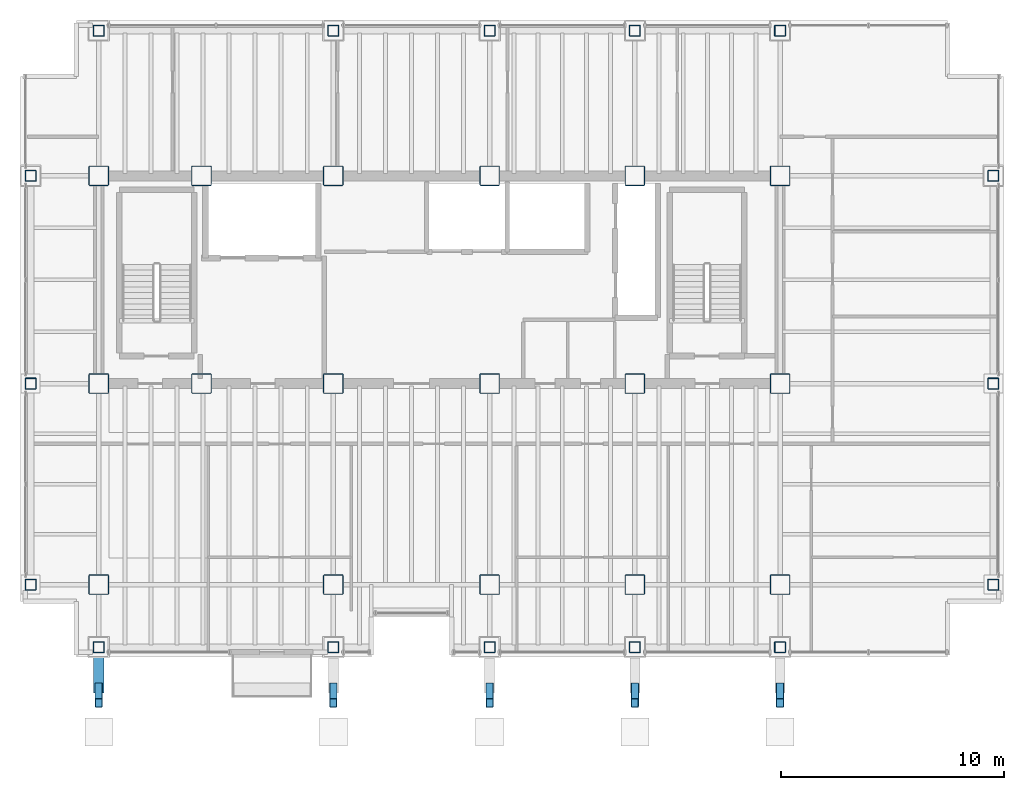
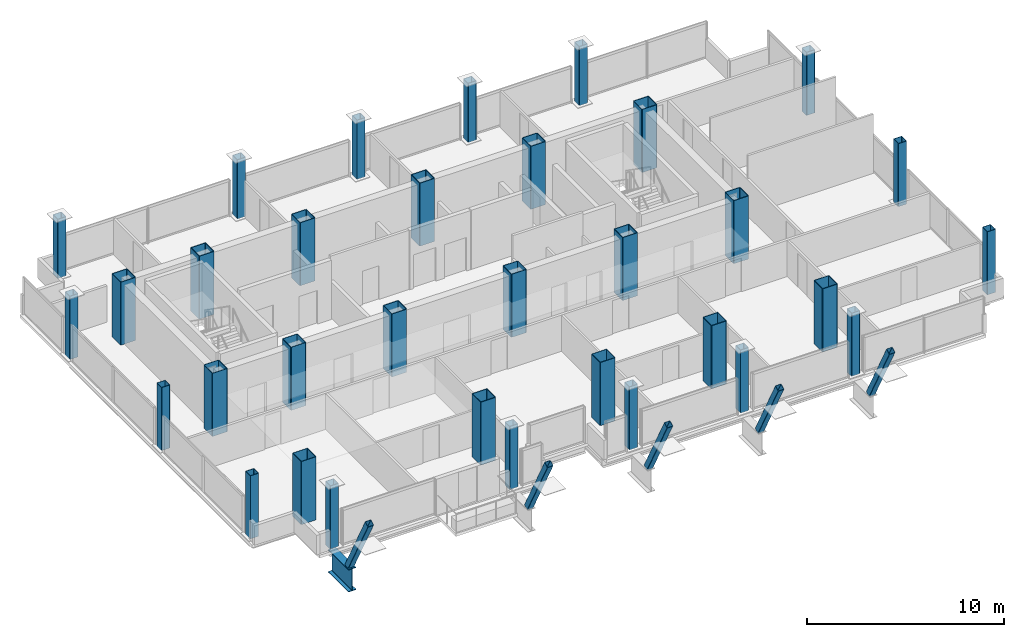
# One storey, part 1 of 16: 38 columns, 1 beam.
"""IFC4 building model written with IfcOpenShell, lengths in metres."""

from ifc_helpers import new_model, si_unit, direction, frame, origin, origin_2d, place, context, subcontext, project, spatial, hollow_rectangle, i_section, extrude, material, material_profile, profile_set, type_object, element, save


model = new_model("IFC4")

# Units and contexts
model_context = context("Model", 3, precision=1e-05, world=origin(), true_north=direction((0.0, 1.0)))
body_context = subcontext(model_context, "Body", "Model", "MODEL_VIEW")
ifc_project = project(units=[si_unit("LENGTHUNIT", "METRE"), si_unit("AREAUNIT", "SQUARE_METRE"), si_unit("VOLUMEUNIT", "CUBIC_METRE"), si_unit("PLANEANGLEUNIT", "RADIAN"), si_unit("MASSUNIT", "GRAM", prefix="KILO")], contexts=[model_context])

# Site, building, storey
site_placement = place(None, origin())
site = spatial("IfcSite", under=ifc_project, at=site_placement, CompositionType="ELEMENT")
building_placement = place(site_placement, origin())
building = spatial("IfcBuilding", under=site, at=building_placement, Name="Noeulbin Bourse Tower", CompositionType="ELEMENT")
storey_placement = place(building_placement, frame((0.0, 0.0, 192.89990234375)))
storey = spatial("IfcBuildingStorey", under=building, at=storey_placement, Name="L48", CompositionType="ELEMENT", Elevation=192.89990234375)

# Columns
ifc_material_1 = material(Name="Steel S355", Category="steel")
ifc_material_profile_1 = material_profile(ifc_material_1, hollow_rectangle(XDim=0.35009765625, YDim=0.35009765625, WallThickness=0.01611328125, InnerFilletRadius=0.01611328125, OuterFilletRadius=0.031982421875, at=origin_2d()), Name="SHS-350x350x16", Category="LoadBearing")
ifc_profile_set_1 = profile_set([ifc_material_profile_1], Name="Steel S355")
column_type_1 = type_object("IfcColumnType", Name="COL-CRN-Z5", PredefinedType="COLUMN", material=ifc_profile_set_1)
for number, where, z_axis, x_axis, name in (
    (1, (13.5, 15.449951171875, -0.199951171875), (0.0, -0.469042229226, 0.883175739704), (1.0, 0.0, 0.0), "Exoskeleton Raking Prop Column L48-01"),
    (2, (24.0, 15.449951171875, -0.199951171875), (0.0, -0.469042229226, 0.883175739704), (1.0, 0.0, 0.0), "Exoskeleton Raking Prop Column L48-02"),
    (3, (31.0, 15.449951171875, -0.199951171875), (0.0, -0.469042229226, 0.883175739704), (1.0, 0.0, 0.0), "Exoskeleton Raking Prop Column L48-03"),
    (4, (37.5, 15.449951171875, -0.199951171875), (0.0, -0.469042229226, 0.883175739704), (1.0, 0.0, 0.0), "Exoskeleton Raking Prop Column L48-04"),
    (5, (44.0, 15.449951171875, -0.199951171875), (0.0, -0.469042229226, 0.883175739704), (1.0, 0.0, 0.0), "Exoskeleton Raking Prop Column L48-05"),
):
    element("IfcColumn", number, at=place(storey_placement, frame(where, z_axis=z_axis, x_axis=x_axis)), inside=storey, type_object=column_type_1, Name=name, PredefinedType="COLUMN", context=body_context, shape_type="SweptSolid", body=[
        extrude(hollow_rectangle(XDim=0.35009765625, YDim=0.35009765625, WallThickness=0.01611328125, InnerFilletRadius=0.01611328125, OuterFilletRadius=0.031982421875, at=origin_2d()), origin(), (0.0, 0.0, 1.0), 4.37060546875),
    ])
ifc_material_profile_2 = material_profile(ifc_material_1, hollow_rectangle(XDim=0.5, YDim=0.5, WallThickness=0.02392578125, InnerFilletRadius=0.011962890625, OuterFilletRadius=0.035888671875, at=origin_2d()), Name="BOX-500x500x24", Category="LoadBearing")
ifc_profile_set_2 = profile_set([ifc_material_profile_2], Name="Steel S355")
column_type_2 = type_object("IfcColumnType", Name="COL-PER-Z2", PredefinedType="COLUMN", material=ifc_profile_set_2)
for number, where, z_axis, x_axis, name in (
    (6, (10.449951171875, 20.0, 0.0), (0.0, 0.0, 1.0), (1.0, 0.0, 0.0), "Tower Perimeter Column COL-PER-Z2 01"),
    (7, (10.449951171875, 29.0, 0.0), (0.0, 0.0, 1.0), (1.0, 0.0, 0.0), "Tower Perimeter Column COL-PER-Z2 02"),
    (8, (10.449951171875, 38.300048828125, 0.0), (0.0, 0.0, 1.0), (1.0, 0.0, 0.0), "Tower Perimeter Column COL-PER-Z2 03"),
    (9, (13.5, 17.199951171875, 0.0), (0.0, 0.0, 1.0), (1.0, 0.0, 0.0), "Tower Perimeter Column COL-PER-Z2 04"),
):
    element("IfcColumn", number, at=place(storey_placement, frame(where, z_axis=z_axis, x_axis=x_axis)), inside=storey, type_object=column_type_2, Name=name, PredefinedType="COLUMN", context=body_context, shape_type="SweptSolid", body=[
        extrude(hollow_rectangle(XDim=0.5, YDim=0.5, WallThickness=0.02392578125, InnerFilletRadius=0.011962890625, OuterFilletRadius=0.035888671875, at=origin_2d()), origin(), (0.0, 0.0, 1.0), 3.900146484375),
    ])
column_1_placement = place(storey_placement, frame((13.5, 44.800048828125, 0.0), z_axis=(0.0, 0.0, 1.0), x_axis=(1.0, 0.0, 0.0)))
element("IfcColumn", 10, at=column_1_placement, inside=storey, type_object=column_type_2, Name="Tower Perimeter Column COL-PER-Z2 05", PredefinedType="COLUMN", context=body_context, shape_type="SweptSolid", body=[
    extrude(hollow_rectangle(XDim=0.5, YDim=0.5, WallThickness=0.02392578125, InnerFilletRadius=0.011962890625, OuterFilletRadius=0.035888671875, at=origin_2d()), origin(), (0.0, 0.0, 1.0), 3.66015625),
])
column_2_placement = place(storey_placement, frame((24.0, 17.199951171875, 0.0), z_axis=(0.0, 0.0, 1.0), x_axis=(1.0, 0.0, 0.0)))
element("IfcColumn", 11, at=column_2_placement, inside=storey, type_object=column_type_2, Name="Tower Perimeter Column COL-PER-Z2 06", PredefinedType="COLUMN", context=body_context, shape_type="SweptSolid", body=[
    extrude(hollow_rectangle(XDim=0.5, YDim=0.5, WallThickness=0.02392578125, InnerFilletRadius=0.011962890625, OuterFilletRadius=0.035888671875, at=origin_2d()), origin(), (0.0, 0.0, 1.0), 3.900146484375),
])
column_3_placement = place(storey_placement, frame((24.0, 44.800048828125, 0.0), z_axis=(0.0, 0.0, 1.0), x_axis=(1.0, 0.0, 0.0)))
element("IfcColumn", 12, at=column_3_placement, inside=storey, type_object=column_type_2, Name="Tower Perimeter Column COL-PER-Z2 07", PredefinedType="COLUMN", context=body_context, shape_type="SweptSolid", body=[
    extrude(hollow_rectangle(XDim=0.5, YDim=0.5, WallThickness=0.02392578125, InnerFilletRadius=0.011962890625, OuterFilletRadius=0.035888671875, at=origin_2d()), origin(), (0.0, 0.0, 1.0), 3.66015625),
])
column_4_placement = place(storey_placement, frame((31.0, 17.199951171875, 0.0), z_axis=(0.0, 0.0, 1.0), x_axis=(1.0, 0.0, 0.0)))
element("IfcColumn", 13, at=column_4_placement, inside=storey, type_object=column_type_2, Name="Tower Perimeter Column COL-PER-Z2 08", PredefinedType="COLUMN", context=body_context, shape_type="SweptSolid", body=[
    extrude(hollow_rectangle(XDim=0.5, YDim=0.5, WallThickness=0.02392578125, InnerFilletRadius=0.011962890625, OuterFilletRadius=0.035888671875, at=origin_2d()), origin(), (0.0, 0.0, 1.0), 3.900146484375),
])
column_5_placement = place(storey_placement, frame((31.0, 44.800048828125, 0.0), z_axis=(0.0, 0.0, 1.0), x_axis=(1.0, 0.0, 0.0)))
element("IfcColumn", 14, at=column_5_placement, inside=storey, type_object=column_type_2, Name="Tower Perimeter Column COL-PER-Z2 09", PredefinedType="COLUMN", context=body_context, shape_type="SweptSolid", body=[
    extrude(hollow_rectangle(XDim=0.5, YDim=0.5, WallThickness=0.02392578125, InnerFilletRadius=0.011962890625, OuterFilletRadius=0.035888671875, at=origin_2d()), origin(), (0.0, 0.0, 1.0), 3.66015625),
])
column_6_placement = place(storey_placement, frame((37.5, 17.199951171875, 0.0), z_axis=(0.0, 0.0, 1.0), x_axis=(1.0, 0.0, 0.0)))
element("IfcColumn", 15, at=column_6_placement, inside=storey, type_object=column_type_2, Name="Tower Perimeter Column COL-PER-Z2 10", PredefinedType="COLUMN", context=body_context, shape_type="SweptSolid", body=[
    extrude(hollow_rectangle(XDim=0.5, YDim=0.5, WallThickness=0.02392578125, InnerFilletRadius=0.011962890625, OuterFilletRadius=0.035888671875, at=origin_2d()), origin(), (0.0, 0.0, 1.0), 3.900146484375),
])
column_7_placement = place(storey_placement, frame((37.5, 44.800048828125, 0.0), z_axis=(0.0, 0.0, 1.0), x_axis=(1.0, 0.0, 0.0)))
element("IfcColumn", 16, at=column_7_placement, inside=storey, type_object=column_type_2, Name="Tower Perimeter Column COL-PER-Z2 11", PredefinedType="COLUMN", context=body_context, shape_type="SweptSolid", body=[
    extrude(hollow_rectangle(XDim=0.5, YDim=0.5, WallThickness=0.02392578125, InnerFilletRadius=0.011962890625, OuterFilletRadius=0.035888671875, at=origin_2d()), origin(), (0.0, 0.0, 1.0), 3.66015625),
])
column_8_placement = place(storey_placement, frame((44.0, 17.199951171875, 0.0), z_axis=(0.0, 0.0, 1.0), x_axis=(1.0, 0.0, 0.0)))
element("IfcColumn", 17, at=column_8_placement, inside=storey, type_object=column_type_2, Name="Tower Perimeter Column COL-PER-Z2 12", PredefinedType="COLUMN", context=body_context, shape_type="SweptSolid", body=[
    extrude(hollow_rectangle(XDim=0.5, YDim=0.5, WallThickness=0.02392578125, InnerFilletRadius=0.011962890625, OuterFilletRadius=0.035888671875, at=origin_2d()), origin(), (0.0, 0.0, 1.0), 3.900146484375),
])
column_9_placement = place(storey_placement, frame((44.0, 44.800048828125, 0.0), z_axis=(0.0, 0.0, 1.0), x_axis=(1.0, 0.0, 0.0)))
element("IfcColumn", 18, at=column_9_placement, inside=storey, type_object=column_type_2, Name="Tower Perimeter Column COL-PER-Z2 13", PredefinedType="COLUMN", context=body_context, shape_type="SweptSolid", body=[
    extrude(hollow_rectangle(XDim=0.5, YDim=0.5, WallThickness=0.02392578125, InnerFilletRadius=0.011962890625, OuterFilletRadius=0.035888671875, at=origin_2d()), origin(), (0.0, 0.0, 1.0), 3.66015625),
])
for number, where, z_axis, x_axis, name in (
    (19, (53.550048828125, 20.0, 0.0), (0.0, 0.0, 1.0), (1.0, 0.0, 0.0), "Tower Perimeter Column COL-PER-Z2 14"),
    (20, (53.550048828125, 29.0, 0.0), (0.0, 0.0, 1.0), (1.0, 0.0, 0.0), "Tower Perimeter Column COL-PER-Z2 15"),
    (21, (53.550048828125, 38.300048828125, 0.0), (0.0, 0.0, 1.0), (1.0, 0.0, 0.0), "Tower Perimeter Column COL-PER-Z2 16"),
):
    element("IfcColumn", number, at=place(storey_placement, frame(where, z_axis=z_axis, x_axis=x_axis)), inside=storey, type_object=column_type_2, Name=name, PredefinedType="COLUMN", context=body_context, shape_type="SweptSolid", body=[
        extrude(hollow_rectangle(XDim=0.5, YDim=0.5, WallThickness=0.02392578125, InnerFilletRadius=0.011962890625, OuterFilletRadius=0.035888671875, at=origin_2d()), origin(), (0.0, 0.0, 1.0), 3.900146484375),
    ])
ifc_material_2 = material(Name="Steel S460", Category="steel")
ifc_material_profile_3 = material_profile(ifc_material_2, hollow_rectangle(XDim=0.89990234375, YDim=0.89990234375, WallThickness=0.034912109375, InnerFilletRadius=0.01708984375, OuterFilletRadius=0.052001953125, at=origin_2d()), Name="BOX-900x900x35", Category="LoadBearing")
ifc_profile_set_3 = profile_set([ifc_material_profile_3], Name="Steel S460")
column_type_3 = type_object("IfcColumnType", Name="COL-TRK-Z2", PredefinedType="COLUMN", material=ifc_profile_set_3)
for number, where, z_axis, x_axis, name in (
    (22, (13.5, 29.0, 0.0), (0.0, 0.0, 1.0), (1.0, 0.0, 0.0), "Tower Trunk Mega-Column COL-TRK-Z2 01"),
    (23, (13.5, 38.300048828125, 0.0), (0.0, 0.0, 1.0), (1.0, 0.0, 0.0), "Tower Trunk Mega-Column COL-TRK-Z2 02"),
    (24, (18.10009765625, 29.0, 0.0), (0.0, 0.0, 1.0), (1.0, 0.0, 0.0), "Tower Trunk Mega-Column COL-TRK-Z2 03"),
    (25, (18.10009765625, 38.300048828125, 0.0), (0.0, 0.0, 1.0), (1.0, 0.0, 0.0), "Tower Trunk Mega-Column COL-TRK-Z2 04"),
    (26, (24.0, 29.0, 0.0), (0.0, 0.0, 1.0), (1.0, 0.0, 0.0), "Tower Trunk Mega-Column COL-TRK-Z2 05"),
    (27, (24.0, 38.300048828125, 0.0), (0.0, 0.0, 1.0), (1.0, 0.0, 0.0), "Tower Trunk Mega-Column COL-TRK-Z2 06"),
    (28, (31.0, 29.0, 0.0), (0.0, 0.0, 1.0), (1.0, 0.0, 0.0), "Tower Trunk Mega-Column COL-TRK-Z2 07"),
    (29, (31.0, 38.300048828125, 0.0), (0.0, 0.0, 1.0), (1.0, 0.0, 0.0), "Tower Trunk Mega-Column COL-TRK-Z2 08"),
    (30, (37.5, 29.0, 0.0), (0.0, 0.0, 1.0), (1.0, 0.0, 0.0), "Tower Trunk Mega-Column COL-TRK-Z2 09"),
    (31, (37.5, 38.300048828125, 0.0), (0.0, 0.0, 1.0), (1.0, 0.0, 0.0), "Tower Trunk Mega-Column COL-TRK-Z2 10"),
    (32, (44.0, 29.0, 0.0), (0.0, 0.0, 1.0), (1.0, 0.0, 0.0), "Tower Trunk Mega-Column COL-TRK-Z2 11"),
    (33, (44.0, 38.300048828125, 0.0), (0.0, 0.0, 1.0), (1.0, 0.0, 0.0), "Tower Trunk Mega-Column COL-TRK-Z2 12"),
    (34, (13.5, 20.0, 0.0), (0.0, 0.0, 1.0), (1.0, 0.0, 0.0), "Tower Trunk Mega-Column COL-TRK-Z2 13"),
    (35, (24.0, 20.0, 0.0), (0.0, 0.0, 1.0), (1.0, 0.0, 0.0), "Tower Trunk Mega-Column COL-TRK-Z2 14"),
    (36, (31.0, 20.0, 0.0), (0.0, 0.0, 1.0), (1.0, 0.0, 0.0), "Tower Trunk Mega-Column COL-TRK-Z2 15"),
    (37, (37.5, 20.0, 0.0), (0.0, 0.0, 1.0), (1.0, 0.0, 0.0), "Tower Trunk Mega-Column COL-TRK-Z2 16"),
    (38, (44.0, 20.0, 0.0), (0.0, 0.0, 1.0), (1.0, 0.0, 0.0), "Tower Trunk Mega-Column COL-TRK-Z2 17"),
):
    element("IfcColumn", number, at=place(storey_placement, frame(where, z_axis=z_axis, x_axis=x_axis)), inside=storey, type_object=column_type_3, Name=name, PredefinedType="COLUMN", context=body_context, shape_type="SweptSolid", body=[
        extrude(hollow_rectangle(XDim=0.89990234375, YDim=0.89990234375, WallThickness=0.034912109375, InnerFilletRadius=0.01708984375, OuterFilletRadius=0.052001953125, at=origin_2d()), origin(), (0.0, 0.0, 1.0), 3.900146484375),
    ])

# Beam
ifc_material_profile_4 = material_profile(ifc_material_2, i_section(OverallWidth=0.449951171875, OverallDepth=1.39990234375, WebThickness=0.02392578125, FlangeThickness=0.0400390625, FilletRadius=0.02392578125, at=origin_2d()), Name="PG-1400x450x24x40", Category="LoadBearing")
ifc_profile_set_4 = profile_set([ifc_material_profile_4], Name="Steel S460")
beam_type = type_object("IfcBeamType", Name="BM-TRF-1400", PredefinedType="USERDEFINED", material=ifc_profile_set_4)
beam_placement = place(storey_placement, frame((13.5, 15.14990234375, -0.8798828125), z_axis=(0.0, 1.0, 0.0), x_axis=(-1.0, 0.0, 0.0)))
element("IfcBeam", 39, at=beam_placement, inside=storey, type_object=beam_type, Name="Transfer Outrigger Corbel L48-01", ObjectType="GIRDER", PredefinedType="USERDEFINED", context=body_context, shape_type="SweptSolid", body=[
    extrude(i_section(OverallWidth=0.449951171875, OverallDepth=1.39990234375, WebThickness=0.02392578125, FlangeThickness=0.0400390625, FilletRadius=0.02392578125, at=origin_2d()), origin(), (0.0, 0.0, 1.0), 2.050048828125),
])

save(model, "model.ifc")
